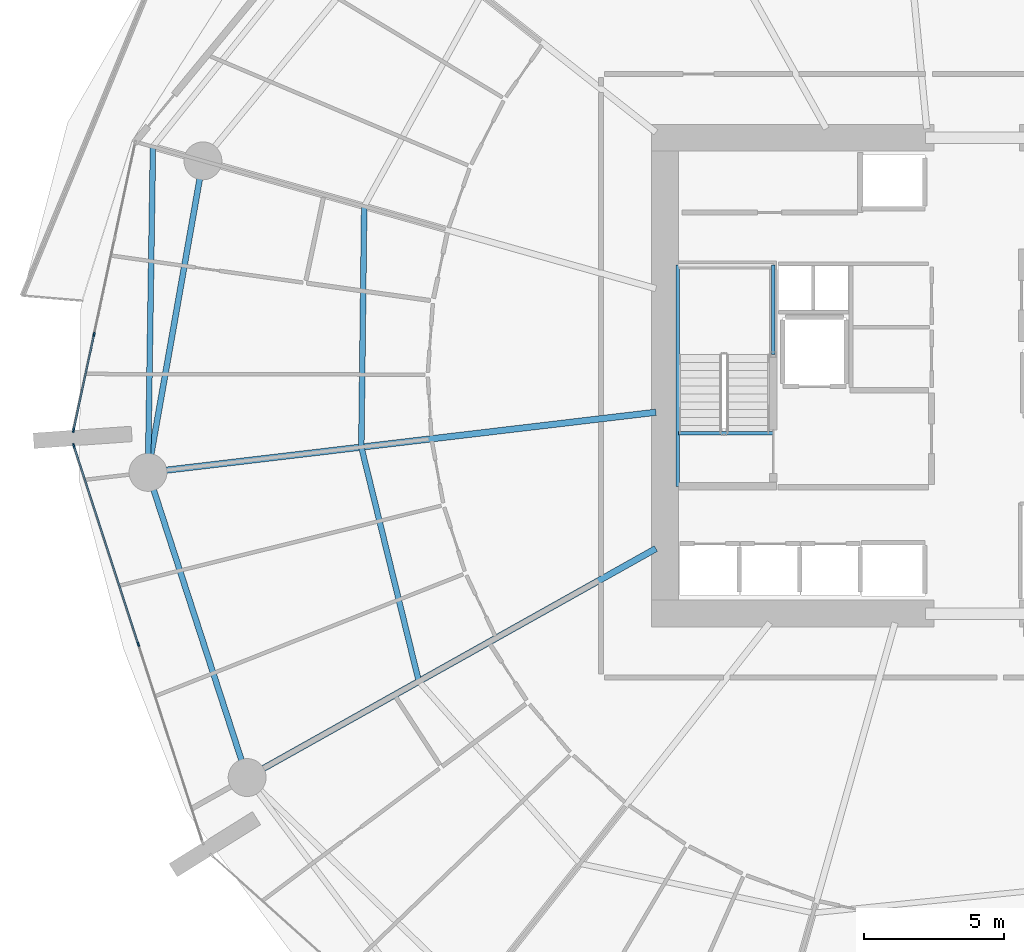
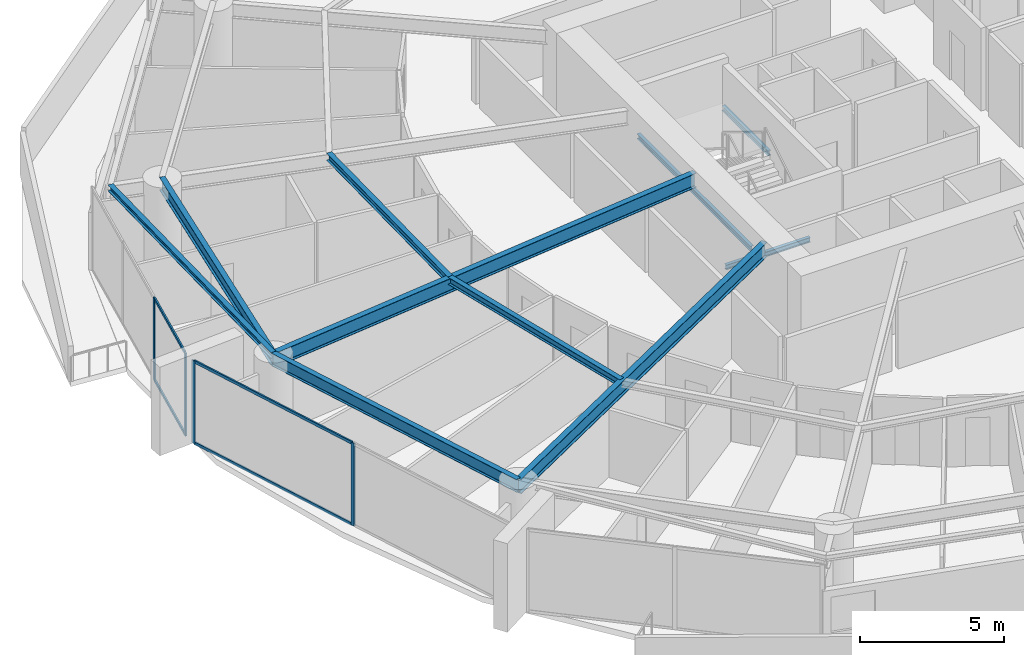
# One storey, part 9 of 31: 10 beams, 8 members, 2 elements without a shape of their own.
"""IFC4 building model written with IfcOpenShell, lengths in metres."""

from ifc_helpers import new_model, si_unit, direction, frame, origin, origin_2d, place, context, subcontext, project, spatial, rectangle, i_section, extrude, material, layer, layer_set, material_profile, profile_set, type_object, element, aggregate, save


model = new_model("IFC4")

# Units and contexts
model_context = context("Model", 3, precision=1e-05, world=origin(), true_north=direction((0.0, 1.0)))
body_context = subcontext(model_context, "Body", "Model", "MODEL_VIEW")
ifc_project = project(units=[si_unit("LENGTHUNIT", "METRE"), si_unit("AREAUNIT", "SQUARE_METRE"), si_unit("VOLUMEUNIT", "CUBIC_METRE"), si_unit("PLANEANGLEUNIT", "RADIAN"), si_unit("MASSUNIT", "GRAM", prefix="KILO")], contexts=[model_context])

# Site, building, storey
site_placement = place(None, origin())
site = spatial("IfcSite", under=ifc_project, at=site_placement, CompositionType="ELEMENT")
building_placement = place(site_placement, origin())
building = spatial("IfcBuilding", under=site, at=building_placement, Name="Kazma Halo Residences", CompositionType="ELEMENT")
storey_placement = place(building_placement, frame((0.0, 0.0, 48.89990234375)))
storey = spatial("IfcBuildingStorey", under=building, at=storey_placement, Name="L11", CompositionType="ELEMENT", Elevation=48.89990234375)

# Beams
ifc_material_1 = material(Name="Steel S355", Category="steel")
ifc_material_profile_1 = material_profile(ifc_material_1, i_section(OverallWidth=0.201904296875, OverallDepth=0.2470703125, WebThickness=0.00732421875, FlangeThickness=0.010986328125, FilletRadius=0.011962890625, at=origin_2d()), Name="W250x49.1")
ifc_profile_set_1 = profile_set([ifc_material_profile_1], Name="Steel S355")
beam_type_1 = type_object("IfcBeamType", Name="BM-BAL-CANT", PredefinedType="BEAM", material=ifc_profile_set_1)
beam_1_placement = place(storey_placement, frame((19.07861328125, 50.15673828125, 3.376708984375), z_axis=(-0.015213846033, -0.999884262747, 0.0), x_axis=(0.999884262747, -0.015213846033, 0.0)))
element("IfcBeam", 1, at=beam_1_placement, inside=storey, type_object=beam_type_1, Name="L11 wave-balcony tie beam 07", PredefinedType="BEAM", context=body_context, shape_type="SweptSolid", body=[
    extrude(i_section(OverallWidth=0.201904296875, OverallDepth=0.2470703125, WebThickness=0.00732421875, FlangeThickness=0.010986328125, FilletRadius=0.011962890625, at=origin_2d()), origin(), (0.0, 0.0, 1.0), 11.602294921875),
])
ifc_material_profile_2 = material_profile(ifc_material_1, i_section(OverallWidth=0.22802734375, OverallDepth=0.60791015625, WebThickness=0.01123046875, FlangeThickness=0.017333984375, FilletRadius=0.01806640625, at=origin_2d()), Name="W610x113")
ifc_profile_set_2 = profile_set([ifc_material_profile_2], Name="Steel S355")
beam_type_2 = type_object("IfcBeamType", Name="BM-RAD-W610", PredefinedType="BEAM", material=ifc_profile_set_2)
beam_2_placement = place(storey_placement, frame((37.0, 40.697998046875, 3.196044921875), z_axis=(-0.993068058728, -0.117540762013, 0.0), x_axis=(0.117540762013, -0.993068058728, 0.0)))
element("IfcBeam", 2, at=beam_2_placement, inside=storey, type_object=beam_type_2, Name="L11 radial floor beam 08", PredefinedType="BEAM", context=body_context, shape_type="SweptSolid", body=[
    extrude(i_section(OverallWidth=0.22802734375, OverallDepth=0.60791015625, WebThickness=0.01123046875, FlangeThickness=0.017333984375, FilletRadius=0.01806640625, at=origin_2d()), origin(), (0.0, 0.0, 1.0), 18.22412109375),
])
beam_3_placement = place(storey_placement, frame((37.0, 35.839599609375, 3.196044921875), z_axis=(-0.872496538947, -0.488620291767, 0.0), x_axis=(0.488620291767, -0.872496538947, 0.0)))
element("IfcBeam", 3, at=beam_3_placement, inside=storey, type_object=beam_type_2, Name="L11 radial floor beam 09", PredefinedType="BEAM", context=body_context, shape_type="SweptSolid", body=[
    extrude(i_section(OverallWidth=0.22802734375, OverallDepth=0.60791015625, WebThickness=0.01123046875, FlangeThickness=0.017333984375, FilletRadius=0.01806640625, at=origin_2d()), origin(), (0.0, 0.0, 1.0), 16.693359375),
])
ifc_material_profile_3 = material_profile(ifc_material_1, i_section(OverallWidth=0.202880859375, OverallDepth=0.302978515625, WebThickness=0.007568359375, FlangeThickness=0.01318359375, FilletRadius=0.013916015625, at=origin_2d()), Name="W310x60")
ifc_profile_set_3 = profile_set([ifc_material_profile_3], Name="Steel S355")
beam_type_3 = type_object("IfcBeamType", Name="BM-SEC-W310A", PredefinedType="JOIST", material=ifc_profile_set_3)
beam_4_placement = place(storey_placement, frame((26.605712890625, 48.033935546875, 3.3486328125), z_axis=(-0.011952697998, -0.999928563954, 0.0), x_axis=(0.999928563954, -0.011952697998, 0.0)))
element("IfcBeam", 4, at=beam_4_placement, inside=storey, type_object=beam_type_3, Name="L11 circumferential floor joist 07", PredefinedType="JOIST", context=body_context, shape_type="SweptSolid", body=[
    extrude(i_section(OverallWidth=0.202880859375, OverallDepth=0.302978515625, WebThickness=0.007568359375, FlangeThickness=0.01318359375, FilletRadius=0.013916015625, at=origin_2d()), origin(), (0.0, 0.0, 1.0), 8.578857421875),
])
beam_5_placement = place(storey_placement, frame((26.503173828125, 39.455810546875, 3.3486328125), z_axis=(0.238409585139, -0.971164697523, 0.0), x_axis=(0.971164697523, 0.238409585139, 0.0)))
element("IfcBeam", 5, at=beam_5_placement, inside=storey, type_object=beam_type_3, Name="L11 circumferential floor joist 08", PredefinedType="JOIST", context=body_context, shape_type="SweptSolid", body=[
    extrude(i_section(OverallWidth=0.202880859375, OverallDepth=0.302978515625, WebThickness=0.007568359375, FlangeThickness=0.01318359375, FilletRadius=0.013916015625, at=origin_2d()), origin(), (0.0, 0.0, 1.0), 8.5947265625),
])
ifc_material_profile_4 = material_profile(ifc_material_1, i_section(OverallWidth=0.208984375, OverallDepth=0.532958984375, WebThickness=0.01025390625, FlangeThickness=0.015625, FilletRadius=0.01611328125, at=origin_2d()), Name="W530x92")
ifc_profile_set_4 = profile_set([ifc_material_profile_4], Name="Steel S355")
beam_type_4 = type_object("IfcBeamType", Name="BM-SPN-W530", PredefinedType="BEAM", material=ifc_profile_set_4)
beam_6_placement = place(storey_placement, frame((20.859130859375, 49.654541015625, 3.233642578125), z_axis=(-0.173651864005, -0.984807103004, 0.0), x_axis=(0.984807103004, -0.173651864005, 0.0)))
element("IfcBeam", 6, at=beam_6_placement, inside=storey, type_object=beam_type_4, Name="L11 perimeter ring beam 07", PredefinedType="BEAM", context=body_context, shape_type="SweptSolid", body=[
    extrude(i_section(OverallWidth=0.208984375, OverallDepth=0.532958984375, WebThickness=0.01025390625, FlangeThickness=0.015625, FilletRadius=0.01611328125, at=origin_2d()), origin(), (0.0, 0.0, 1.0), 11.269775390625),
])
beam_7_placement = place(storey_placement, frame((18.902099609375, 38.555908203125, 3.233642578125), z_axis=(0.309024264898, -0.951054153928, 0.0), x_axis=(0.951054153928, 0.309024264898, 0.0)))
element("IfcBeam", 7, at=beam_7_placement, inside=storey, type_object=beam_type_4, Name="L11 perimeter ring beam 08", PredefinedType="BEAM", context=body_context, shape_type="SweptSolid", body=[
    extrude(i_section(OverallWidth=0.208984375, OverallDepth=0.532958984375, WebThickness=0.01025390625, FlangeThickness=0.015625, FilletRadius=0.01611328125, at=origin_2d()), origin(), (0.0, 0.0, 1.0), 11.4326171875),
])
ifc_material_profile_5 = material_profile(ifc_material_1, i_section(OverallWidth=0.133056640625, OverallDepth=0.20703125, WebThickness=0.005859375, FlangeThickness=0.00830078125, FilletRadius=0.010009765625, at=origin_2d()), Name="W200x26.6")
ifc_profile_set_5 = profile_set([ifc_material_profile_5], Name="Steel S355")
beam_type_5 = type_object("IfcBeamType", Name="BM-TRIM-W200", PredefinedType="BEAM", material=ifc_profile_set_5)
beam_8_placement = place(storey_placement, frame((37.800048828125, 39.949951171875, -0.35986328125), z_axis=(1.0, 0.0, 0.0), x_axis=(0.0, 1.0, 0.0)))
element("IfcBeam", 8, at=beam_8_placement, inside=storey, type_object=beam_type_5, Name="L11 ST-01 floor landing support beam", PredefinedType="BEAM", context=body_context, shape_type="SweptSolid", body=[
    extrude(i_section(OverallWidth=0.133056640625, OverallDepth=0.20703125, WebThickness=0.005859375, FlangeThickness=0.00830078125, FilletRadius=0.010009765625, at=origin_2d()), origin(), (0.0, 0.0, 1.0), 3.3798828125),
])
beam_9_placement = place(storey_placement, frame((37.780029296875, 38.06005859375, 1.570068359375), z_axis=(0.0, 1.0, 0.0), x_axis=(-1.0, 0.0, 0.0)))
element("IfcBeam", 9, at=beam_9_placement, inside=storey, type_object=beam_type_5, Name="L11 ST-01 landing west wall ledger", PredefinedType="BEAM", context=body_context, shape_type="SweptSolid", body=[
    extrude(i_section(OverallWidth=0.133056640625, OverallDepth=0.20703125, WebThickness=0.005859375, FlangeThickness=0.00830078125, FilletRadius=0.010009765625, at=origin_2d()), origin(), (0.0, 0.0, 1.0), 7.8798828125),
])
beam_10_placement = place(storey_placement, frame((41.179931640625, 42.75, 1.570068359375), z_axis=(0.0, 1.0, 0.0), x_axis=(-1.0, 0.0, 0.0)))
element("IfcBeam", 10, at=beam_10_placement, inside=storey, type_object=beam_type_5, Name="L11 ST-01 landing east wall ledger", PredefinedType="BEAM", context=body_context, shape_type="SweptSolid", body=[
    extrude(i_section(OverallWidth=0.133056640625, OverallDepth=0.20703125, WebThickness=0.005859375, FlangeThickness=0.00830078125, FilletRadius=0.010009765625, at=origin_2d()), origin(), (0.0, 0.0, 1.0), 3.18994140625),
])

# Curtain wall, members
ifc_material_2 = material(Name="Aluminium AW-6063 T6 and Triple-Silver Low-E Glass", Category="aluminium")
ifc_layer = layer(ifc_material_2, 0.159912109375)
ifc_layer_set = layer_set([ifc_layer], Name="Aluminium AW-6063 T6 and Triple-Silver Low-E Glass")
curtain_wall_type = type_object("IfcCurtainWallType", Name="CW-SYS-2", PredefinedType="NOTDEFINED", material=ifc_layer_set)
curtain_wall_1_placement = place(storey_placement, origin())
curtain_wall_1 = element("IfcCurtainWall", 11, at=curtain_wall_1_placement, inside=storey, type_object=curtain_wall_type, Name="L11 unitised curtain wall B07", PredefinedType="NOTDEFINED")
ifc_material_3 = material(Name="Aluminium AW-6063 T6", Category="aluminium")
ifc_material_profile_6 = material_profile(ifc_material_3, rectangle(XDim=0.06005859375, YDim=0.159912109375, at=origin_2d()), Name="CWM-60x160")
ifc_profile_set_6 = profile_set([ifc_material_profile_6], Name="Aluminium AW-6063 T6")
member_type_1 = type_object("IfcMemberType", Name="CW-SYS-2-MUL", PredefinedType="MULLION", material=ifc_profile_set_6)
member_1_placement = place(storey_placement, frame((16.980712890625, 43.46435546875, 0.0), z_axis=(0.0, 0.0, 1.0), x_axis=(0.977779215096, -0.209637321406, 0.0)))
member_1 = element("IfcMember", 12, at=member_1_placement, type_object=member_type_1, Name="CWS-2 mullion 3", PredefinedType="MULLION", context=body_context, shape_type="SweptSolid", body=[
    extrude(rectangle(XDim=0.06005859375, YDim=0.159912109375, at=origin_2d()), origin(), (0.0, 0.0, 1.0), 3.5),
])
member_2_placement = place(storey_placement, frame((16.25048828125, 40.059326171875, 0.0), z_axis=(0.0, 0.0, 1.0), x_axis=(0.977779215096, -0.209637321406, 0.0)))
member_2 = element("IfcMember", 13, at=member_2_placement, type_object=member_type_1, Name="CWS-2 mullion 4", PredefinedType="MULLION", context=body_context, shape_type="SweptSolid", body=[
    extrude(rectangle(XDim=0.06005859375, YDim=0.159912109375, at=origin_2d()), origin(), (0.0, 0.0, 1.0), 3.5),
])

curtain_wall_2_placement = place(storey_placement, origin())
curtain_wall_2 = element("IfcCurtainWall", 14, at=curtain_wall_2_placement, inside=storey, type_object=curtain_wall_type, Name="L11 unitised curtain wall B08", PredefinedType="NOTDEFINED")
member_3_placement = place(storey_placement, frame((16.26171875, 39.500732421875, 0.0), z_axis=(0.0, 0.0, 1.0), x_axis=(0.95105652404, 0.309016970539, 0.0)))
member_3 = element("IfcMember", 15, at=member_3_placement, type_object=member_type_1, Name="CWS-2 mullion 1", PredefinedType="MULLION", context=body_context, shape_type="SweptSolid", body=[
    extrude(rectangle(XDim=0.06005859375, YDim=0.159912109375, at=origin_2d()), origin(), (0.0, 0.0, 1.0), 3.5),
])
member_4_placement = place(storey_placement, frame((18.55810546875, 32.43359375, 0.0), z_axis=(0.0, 0.0, 1.0), x_axis=(0.95105652404, 0.309016970539, 0.0)))
member_4 = element("IfcMember", 16, at=member_4_placement, type_object=member_type_1, Name="CWS-2 mullion 2", PredefinedType="MULLION", context=body_context, shape_type="SweptSolid", body=[
    extrude(rectangle(XDim=0.06005859375, YDim=0.159912109375, at=origin_2d()), origin(), (0.0, 0.0, 1.0), 3.5),
])

# Member
ifc_material_profile_7 = material_profile(ifc_material_3, rectangle(XDim=0.06005859375, YDim=0.1201171875, at=origin_2d()), Name="CWT-60x120")
ifc_profile_set_7 = profile_set([ifc_material_profile_7], Name="Aluminium AW-6063 T6")
member_type_2 = type_object("IfcMemberType", Name="CW-SYS-2-TRN", PredefinedType="USERDEFINED", material=ifc_profile_set_7)
member_5_placement = place(storey_placement, frame((16.974365234375, 43.434814453125, 0.030029296875), z_axis=(-0.209665500897, -0.977773172946, 0.0), x_axis=(0.977773172946, -0.209665500897, 0.0)))
member_5 = element("IfcMember", 17, at=member_5_placement, type_object=member_type_2, Name="CWS-2 transom 3.1", ObjectType="TRANSOM", PredefinedType="USERDEFINED", context=body_context, shape_type="SweptSolid", body=[
    extrude(rectangle(XDim=0.06005859375, YDim=0.1201171875, at=origin_2d()), origin(), (0.0, 0.0, 1.0), 3.42236328125),
])

member_6_placement = place(storey_placement, frame((16.974365234375, 43.434814453125, 3.47021484375), z_axis=(-0.209665500897, -0.977773172946, 0.0), x_axis=(0.977773172946, -0.209665500897, 0.0)))
member_6 = element("IfcMember", 18, at=member_6_placement, type_object=member_type_2, Name="CWS-2 transom 3.2", ObjectType="TRANSOM", PredefinedType="USERDEFINED", context=body_context, shape_type="SweptSolid", body=[
    extrude(rectangle(XDim=0.06005859375, YDim=0.1201171875, at=origin_2d()), origin(), (0.0, 0.0, 1.0), 3.42236328125),
])

aggregate(curtain_wall_1, [member_1, member_2, member_5, member_6])

member_7_placement = place(storey_placement, frame((16.27099609375, 39.47216796875, 0.030029296875), z_axis=(0.309034393795, -0.951050862705, 0.0), x_axis=(0.951050862705, 0.309034393795, 0.0)))
member_7 = element("IfcMember", 19, at=member_7_placement, type_object=member_type_2, Name="CWS-2 transom 1.1", ObjectType="TRANSOM", PredefinedType="USERDEFINED", context=body_context, shape_type="SweptSolid", body=[
    extrude(rectangle(XDim=0.06005859375, YDim=0.1201171875, at=origin_2d()), origin(), (0.0, 0.0, 1.0), 7.370849609375),
])

member_8_placement = place(storey_placement, frame((16.27099609375, 39.47216796875, 3.47021484375), z_axis=(0.309034393795, -0.951050862705, 0.0), x_axis=(0.951050862705, 0.309034393795, 0.0)))
member_8 = element("IfcMember", 20, at=member_8_placement, type_object=member_type_2, Name="CWS-2 transom 1.2", ObjectType="TRANSOM", PredefinedType="USERDEFINED", context=body_context, shape_type="SweptSolid", body=[
    extrude(rectangle(XDim=0.06005859375, YDim=0.1201171875, at=origin_2d()), origin(), (0.0, 0.0, 1.0), 7.370849609375),
])

aggregate(curtain_wall_2, [member_3, member_4, member_7, member_8])

save(model, "model.ifc")
